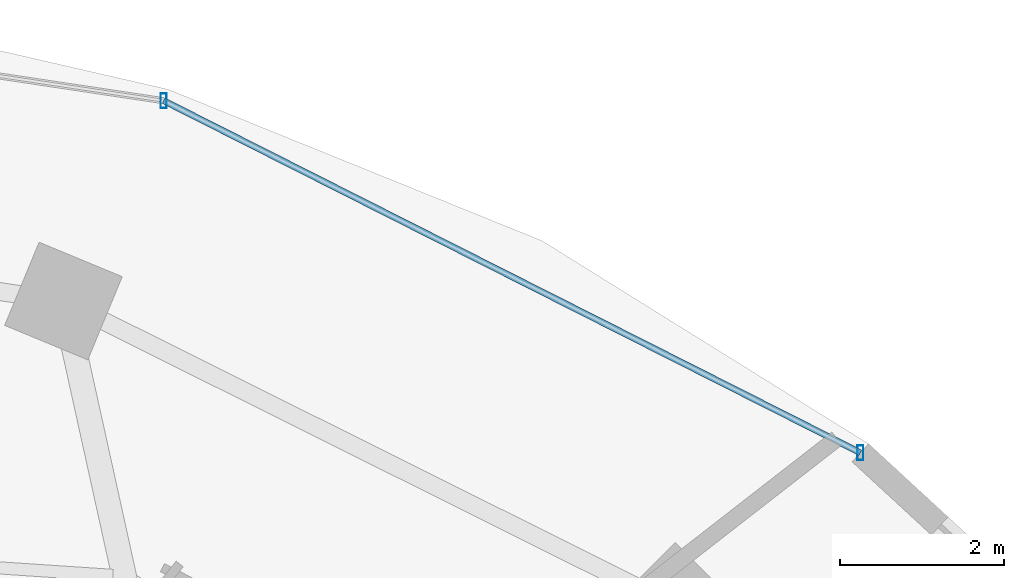
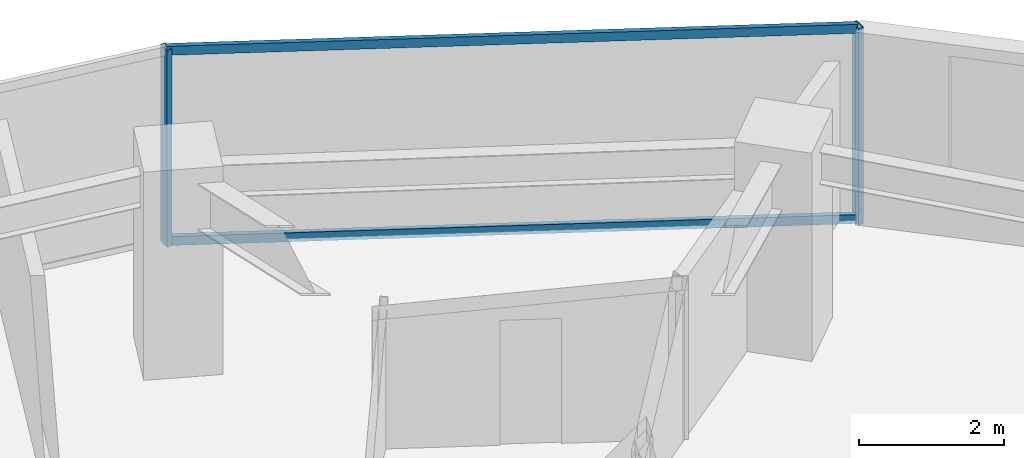
# One storey, part 20 of 30: 4 members, 1 element without a shape of its own.
"""IFC4 building model written with IfcOpenShell, lengths in metres."""

from ifc_helpers import new_model, si_unit, direction, frame, origin, origin_2d, place, context, subcontext, project, spatial, hollow_rectangle, extrude, material, material_profile, profile_set, type_object, element, aggregate, save


model = new_model("IFC4")

# Units and contexts
model_context = context("Model", 3, precision=1e-05, world=origin(), true_north=direction((0.0, 1.0)))
body_context = subcontext(model_context, "Body", "Model", "MODEL_VIEW")
ifc_project = project(units=[si_unit("LENGTHUNIT", "METRE"), si_unit("AREAUNIT", "SQUARE_METRE"), si_unit("VOLUMEUNIT", "CUBIC_METRE"), si_unit("PLANEANGLEUNIT", "RADIAN"), si_unit("MASSUNIT", "GRAM", prefix="KILO")], contexts=[model_context])

# Site, building, storey
site_placement = place(None, origin())
site = spatial("IfcSite", under=ifc_project, at=site_placement, CompositionType="ELEMENT")
building_placement = place(site_placement, origin())
building = spatial("IfcBuilding", under=site, at=building_placement, Name="Vorneva Point Tower", CompositionType="ELEMENT")
storey_placement = place(building_placement, frame((0.0, 0.0, 92.800048828125)))
storey = spatial("IfcBuildingStorey", under=building, at=storey_placement, Name="L24", CompositionType="ELEMENT", Elevation=92.800048828125)

# Curtain wall, members
ifc_material = material(Name="Pale anodised aluminium", Category="aluminium")
curtain_wall_type = type_object("IfcCurtainWallType", Name="CW-HTL-SYS", PredefinedType="NOTDEFINED", material=ifc_material)
curtain_wall_placement = place(storey_placement, origin())
curtain_wall = element("IfcCurtainWall", 1, at=curtain_wall_placement, inside=storey, type_object=curtain_wall_type, Name="L24 Unitised Curtain Wall CW-L24-R02", PredefinedType="NOTDEFINED")
ifc_material_profile_1 = material_profile(ifc_material, hollow_rectangle(XDim=0.074951171875, YDim=0.179931640625, WallThickness=0.00390625, at=origin_2d()), Name="AL-MUL 180x75x4")
ifc_profile_set_1 = profile_set([ifc_material_profile_1], Name="Pale anodised aluminium")
member_type_1 = type_object("IfcMemberType", Name="CW-MUL-180", PredefinedType="MULLION", material=ifc_profile_set_1)
member_1_placement = place(storey_placement, frame((56.5615234375, 40.0361328125, -0.0400390625), z_axis=(0.0, 0.0, 1.0), x_axis=(1.0, 0.0, 0.0)))
member_1 = element("IfcMember", 2, at=member_1_placement, type_object=member_type_1, Name="CW-L24-R02 Mullion 01", PredefinedType="MULLION", context=body_context, shape_type="SweptSolid", body=[
    extrude(hollow_rectangle(XDim=0.074951171875, YDim=0.179931640625, WallThickness=0.00390625, at=origin_2d()), origin(), (0.0, 0.0, 1.0), 3.31005859375),
])
member_2_placement = place(storey_placement, frame((48.04541015625, 44.339111328125, -0.0400390625), z_axis=(0.0, 0.0, 1.0), x_axis=(1.0, 0.0, 0.0)))
member_2 = element("IfcMember", 3, at=member_2_placement, type_object=member_type_1, Name="CW-L24-R02 Mullion 02", PredefinedType="MULLION", context=body_context, shape_type="SweptSolid", body=[
    extrude(hollow_rectangle(XDim=0.074951171875, YDim=0.179931640625, WallThickness=0.00390625, at=origin_2d()), origin(), (0.0, 0.0, 1.0), 3.31005859375),
])
ifc_material_profile_2 = material_profile(ifc_material, hollow_rectangle(XDim=0.074951171875, YDim=0.14990234375, WallThickness=0.00390625, at=origin_2d()), Name="AL-TRN 150x75x4")
ifc_profile_set_2 = profile_set([ifc_material_profile_2], Name="Pale anodised aluminium")
member_type_2 = type_object("IfcMemberType", Name="CW-TRN-150", PredefinedType="USERDEFINED", material=ifc_profile_set_2)
member_3_placement = place(storey_placement, frame((56.5615234375, 40.0361328125, 0.02001953125), z_axis=(-0.892536035732, 0.450976080207, 0.0), x_axis=(-0.450976080207, -0.892536035732, 0.0)))
member_3 = element("IfcMember", 4, at=member_3_placement, type_object=member_type_2, Name="CW-L24-R02 Transom 01.1", ObjectType="TRANSOM", PredefinedType="USERDEFINED", context=body_context, shape_type="SweptSolid", body=[
    extrude(hollow_rectangle(XDim=0.074951171875, YDim=0.14990234375, WallThickness=0.00390625, at=origin_2d()), origin(), (0.0, 0.0, 1.0), 9.54150390625),
])
member_4_placement = place(storey_placement, frame((56.5615234375, 40.0361328125, 3.219970703125), z_axis=(-0.892536035732, 0.450976080207, 0.0), x_axis=(-0.450976080207, -0.892536035732, 0.0)))
member_4 = element("IfcMember", 5, at=member_4_placement, type_object=member_type_2, Name="CW-L24-R02 Transom 01.2", ObjectType="TRANSOM", PredefinedType="USERDEFINED", context=body_context, shape_type="SweptSolid", body=[
    extrude(hollow_rectangle(XDim=0.074951171875, YDim=0.14990234375, WallThickness=0.00390625, at=origin_2d()), origin(), (0.0, 0.0, 1.0), 9.54150390625),
])
aggregate(curtain_wall, [member_1, member_2, member_3, member_4])

save(model, "model.ifc")
